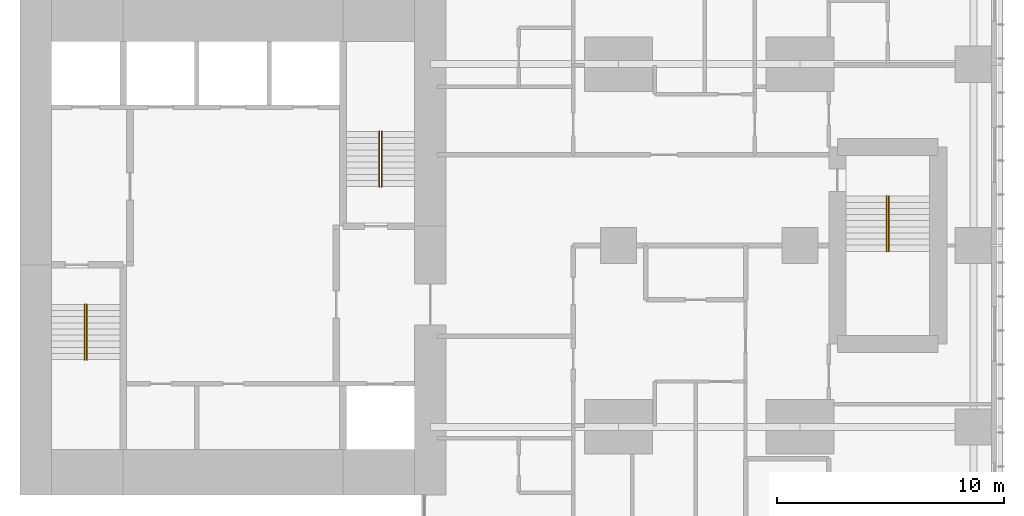
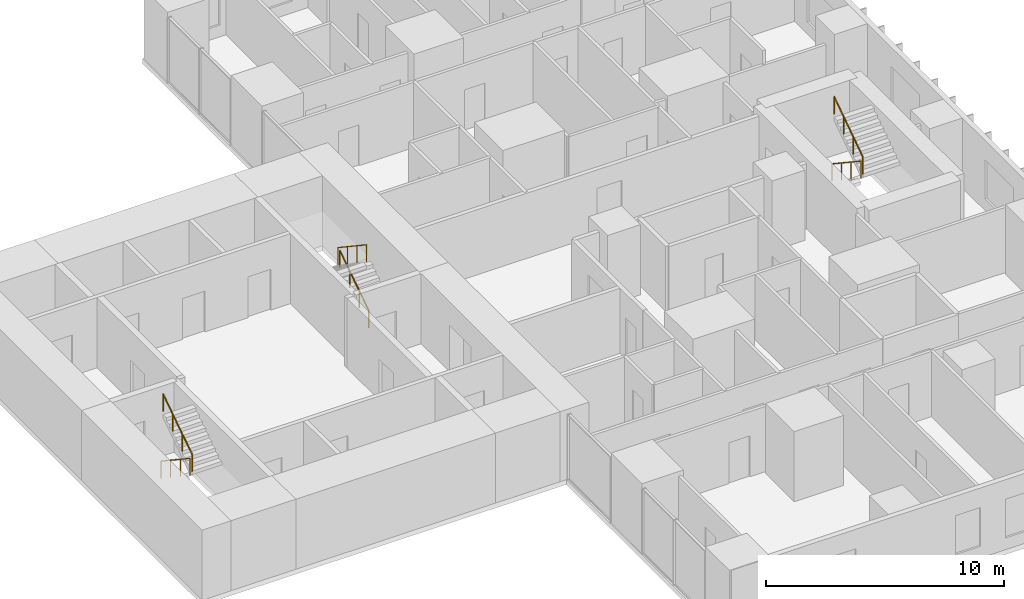
# One storey, part 12 of 12: 6 railings.
"""IFC4 building model written with IfcOpenShell, lengths in metres."""

from ifc_helpers import new_model, si_unit, direction, frame, origin, origin_2d, place, context, subcontext, project, spatial, circle, extrude, material, type_object, element, save


model = new_model("IFC4")

# Units and contexts
model_context = context("Model", 3, precision=1e-05, world=origin(), true_north=direction((0.0, 1.0)))
body_context = subcontext(model_context, "Body", "Model", "MODEL_VIEW")
ifc_project = project(units=[si_unit("LENGTHUNIT", "METRE"), si_unit("AREAUNIT", "SQUARE_METRE"), si_unit("VOLUMEUNIT", "CUBIC_METRE"), si_unit("PLANEANGLEUNIT", "RADIAN"), si_unit("MASSUNIT", "GRAM", prefix="KILO")], contexts=[model_context])

# Site, building, storey
site_placement = place(None, origin())
site = spatial("IfcSite", under=ifc_project, at=site_placement, CompositionType="ELEMENT")
building_placement = place(site_placement, origin())
building = spatial("IfcBuilding", under=site, at=building_placement, Name="Cleftline Residences", CompositionType="ELEMENT")
storey_placement = place(building_placement, frame((0.0, 0.0, 259.199951171875)))
storey = spatial("IfcBuildingStorey", under=building, at=storey_placement, Name="L68", CompositionType="ELEMENT", Elevation=259.199951171875)

# Railings
ifc_material = material(Name="Stainless steel", Category="steel")
railing_type = type_object("IfcRailingType", Name="HANDRAIL 900", PredefinedType="HANDRAIL", material=ifc_material)
railing_1_placement = place(storey_placement, frame((26.449951171875, 21.39990234375, 0.179931640625)))
element("IfcRailing", 1, at=railing_1_placement, inside=storey, type_object=railing_type, Name="Stair handrail", PredefinedType="HANDRAIL", context=body_context, shape_type="SweptSolid", body=[
    extrude(circle(Radius=0.02392578125, at=origin_2d()), frame((0.0, 0.0, 0.8759765625), z_axis=(0.0, -0.832024571796, 0.554738778101), x_axis=(1.0, 0.0, 0.0)), (0.0, 0.0, 1.0), 2.92041015625),
    extrude(circle(Radius=0.02099609375, at=origin_2d()), origin(), (0.0, 0.0, 1.0), 0.851806640625),
    extrude(circle(Radius=0.02099609375, at=origin_2d()), frame((0.0, -0.81005859375, 0.5400390625)), (0.0, 0.0, 1.0), 0.851806640625),
    extrude(circle(Radius=0.02099609375, at=origin_2d()), frame((0.0, -1.619873046875, 1.080078125)), (0.0, 0.0, 1.0), 0.851806640625),
    extrude(circle(Radius=0.02099609375, at=origin_2d()), frame((0.0, -2.429931640625, 1.6201171875)), (0.0, 0.0, 1.0), 0.851806640625),
])
for number, where, name in (
    (2, (26.550048828125, 18.969970703125, 1.97998046875), "Stair handrail"),
    (3, (39.550048828125, 26.60009765625, 0.179931640625), "Stair handrail"),
):
    element("IfcRailing", number, at=place(storey_placement, frame(where)), inside=storey, type_object=railing_type, Name=name, PredefinedType="HANDRAIL", context=body_context, shape_type="SweptSolid", body=[
        extrude(circle(Radius=0.02392578125, at=origin_2d()), frame((0.0, 0.0, 0.8759765625), z_axis=(0.0, 0.832024571796, 0.554738778101), x_axis=(-1.0, 0.0, 0.0)), (0.0, 0.0, 1.0), 2.92041015625),
        extrude(circle(Radius=0.02099609375, at=origin_2d()), origin(), (0.0, 0.0, 1.0), 0.851806640625),
        extrude(circle(Radius=0.02099609375, at=origin_2d()), frame((0.0, 0.81005859375, 0.5400390625)), (0.0, 0.0, 1.0), 0.851806640625),
        extrude(circle(Radius=0.02099609375, at=origin_2d()), frame((0.0, 1.619873046875, 1.080078125)), (0.0, 0.0, 1.0), 0.851806640625),
        extrude(circle(Radius=0.02099609375, at=origin_2d()), frame((0.0, 2.429931640625, 1.6201171875)), (0.0, 0.0, 1.0), 0.851806640625),
    ])
for number, where, name in (
    (4, (39.449951171875, 29.030029296875, 1.97998046875), "Stair handrail"),
    (5, (61.824951171875, 26.175048828125, 0.179931640625), "Stair handrail"),
):
    element("IfcRailing", number, at=place(storey_placement, frame(where)), inside=storey, type_object=railing_type, Name=name, PredefinedType="HANDRAIL", context=body_context, shape_type="SweptSolid", body=[
        extrude(circle(Radius=0.02392578125, at=origin_2d()), frame((0.0, 0.0, 0.8759765625), z_axis=(0.0, -0.832024571796, 0.554738778101), x_axis=(1.0, 0.0, 0.0)), (0.0, 0.0, 1.0), 2.92041015625),
        extrude(circle(Radius=0.02099609375, at=origin_2d()), origin(), (0.0, 0.0, 1.0), 0.851806640625),
        extrude(circle(Radius=0.02099609375, at=origin_2d()), frame((0.0, -0.81005859375, 0.5400390625)), (0.0, 0.0, 1.0), 0.851806640625),
        extrude(circle(Radius=0.02099609375, at=origin_2d()), frame((0.0, -1.619873046875, 1.080078125)), (0.0, 0.0, 1.0), 0.851806640625),
        extrude(circle(Radius=0.02099609375, at=origin_2d()), frame((0.0, -2.429931640625, 1.6201171875)), (0.0, 0.0, 1.0), 0.851806640625),
    ])
railing_2_placement = place(storey_placement, frame((61.925048828125, 23.7451171875, 1.97998046875)))
element("IfcRailing", 6, at=railing_2_placement, inside=storey, type_object=railing_type, Name="Stair handrail", PredefinedType="HANDRAIL", context=body_context, shape_type="SweptSolid", body=[
    extrude(circle(Radius=0.02392578125, at=origin_2d()), frame((0.0, 0.0, 0.8759765625), z_axis=(0.0, 0.832024571796, 0.554738778101), x_axis=(-1.0, 0.0, 0.0)), (0.0, 0.0, 1.0), 2.92041015625),
    extrude(circle(Radius=0.02099609375, at=origin_2d()), origin(), (0.0, 0.0, 1.0), 0.851806640625),
    extrude(circle(Radius=0.02099609375, at=origin_2d()), frame((0.0, 0.81005859375, 0.5400390625)), (0.0, 0.0, 1.0), 0.851806640625),
    extrude(circle(Radius=0.02099609375, at=origin_2d()), frame((0.0, 1.619873046875, 1.080078125)), (0.0, 0.0, 1.0), 0.851806640625),
    extrude(circle(Radius=0.02099609375, at=origin_2d()), frame((0.0, 2.429931640625, 1.6201171875)), (0.0, 0.0, 1.0), 0.851806640625),
])

save(model, "model.ifc")
